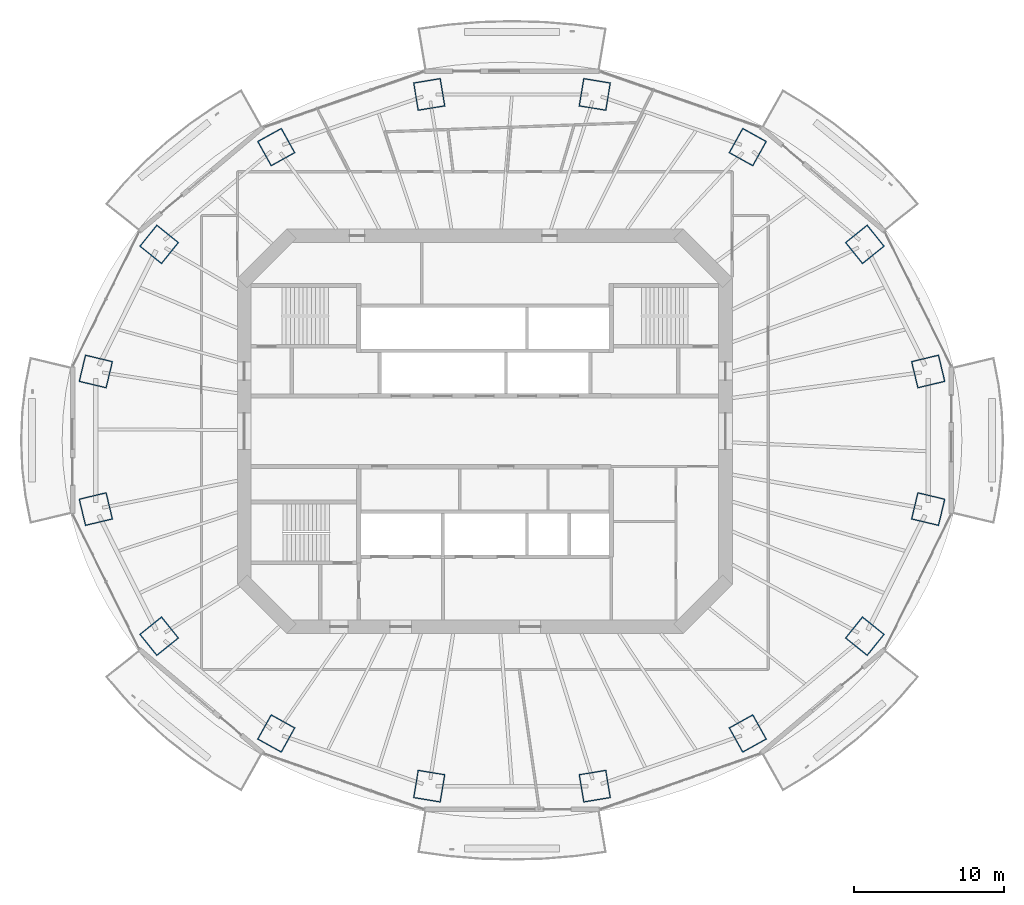
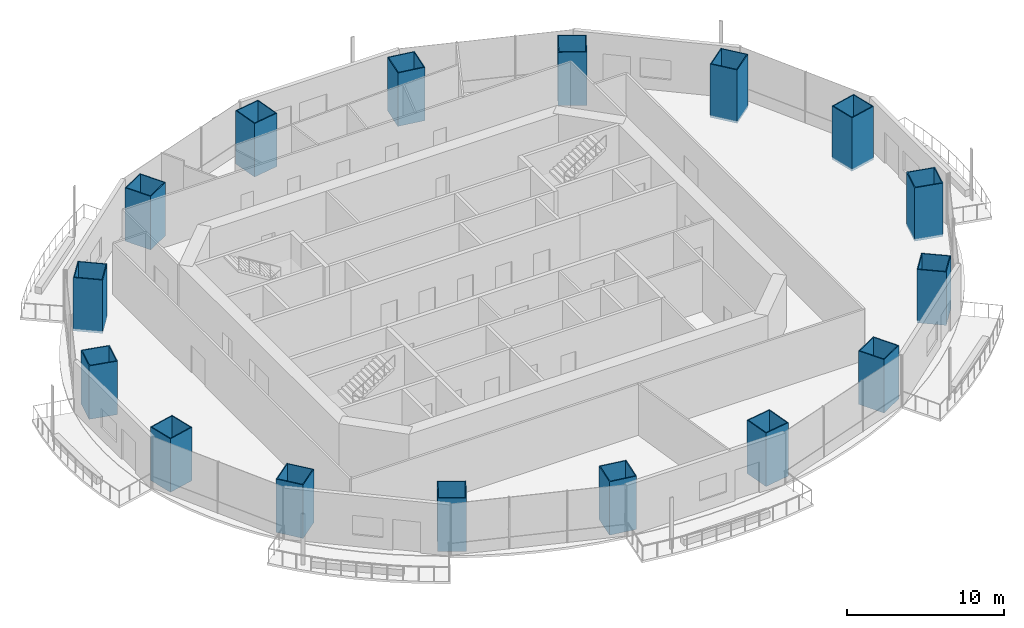
# One storey, part 1 of 19: 16 columns.
"""IFC4 building model written with IfcOpenShell, lengths in metres."""

import ifcopenshell
import ifcopenshell.guid

model = None  # the IFC model being written
_history = None  # IfcOwnerHistory: only IFC2X3 demands one
_inside = {}  # id of a spatial element -> (the spatial element, [elements in it])
_under = {}  # id of a project, library or spatial element -> (it, [spatial elements below it])
_declared = {}  # id of a project -> (the project, [libraries it declares])
_typed = {}  # id of a type object -> (the type object, [elements of that type])
_made_of = {}  # id of a material, layer set ... -> (it, [elements and type objects made of it])


def new_model(schema):
    """Start an empty IFC model of exactly this schema.

    Asked for "IFC4X3", IfcOpenShell would pick the latest addendum, in which some entities
    have other attributes; the version numbers below select the first issue.
    IFC2X3 requires an IfcOwnerHistory on every rooted entity: one is made here for all.
    """
    global model, _history
    if schema == "IFC4X3":
        model = ifcopenshell.file(schema_version=(4, 3, 0, 0))
    else:
        model = ifcopenshell.file(schema=schema)
    _inside.clear()
    _under.clear()
    _declared.clear()
    _typed.clear()
    _made_of.clear()
    _history = None
    if model.schema == "IFC2X3":
        org = make("IfcOrganization", Name="unknown")
        user = make(
            "IfcPersonAndOrganization",
            ThePerson=make("IfcPerson", FamilyName="unknown"),
            TheOrganization=org,
        )
        app = make(
            "IfcApplication",
            ApplicationDeveloper=org,
            Version="unknown",
            ApplicationFullName="unknown",
            ApplicationIdentifier="unknown",
        )
        _history = make(
            "IfcOwnerHistory",
            OwningUser=user,
            OwningApplication=app,
            ChangeAction="ADDED",
            CreationDate=0,
        )
    return model


def make(cls, **values):
    """One entity of the class cls with the attributes given. An attribute that is None is left unset."""
    return model.create_entity(
        cls, **{name: value for name, value in values.items() if value is not None}
    )


def rooted(cls, **values):
    """An entity with a GlobalId (a new one), such as an element, a storey or a relation."""
    return make(cls, GlobalId=ifcopenshell.guid.new(), OwnerHistory=_history, **values)


def si_unit(unit_type, name, prefix=None):
    """IfcSIUnit, for example si_unit("LENGTHUNIT", "METRE", prefix="MILLI")."""
    return make("IfcSIUnit", UnitType=unit_type, Prefix=prefix, Name=name)


def assignment(units):
    """IfcUnitAssignment: the units of a project."""
    return None if units is None else make("IfcUnitAssignment", Units=units)


def point(xyz):
    """IfcCartesianPoint."""
    return None if xyz is None else make("IfcCartesianPoint", Coordinates=xyz)


def direction(xyz):
    """IfcDirection."""
    return None if xyz is None else make("IfcDirection", DirectionRatios=xyz)


def frame(location, z_axis=None, x_axis=None):
    """IfcAxis2Placement3D, a coordinate frame: its origin and axes. An axis left out is left unset."""
    return make(
        "IfcAxis2Placement3D",
        Location=point(location),
        Axis=direction(z_axis),
        RefDirection=direction(x_axis),
    )


def frame_2d(location, x_axis=None):
    """IfcAxis2Placement2D, a coordinate frame in the plane: its origin and x axis."""
    return make(
        "IfcAxis2Placement2D", Location=point(location), RefDirection=direction(x_axis)
    )


def origin():
    """The frame at (0, 0, 0) with its axes left unset."""
    return frame((0.0, 0.0, 0.0))


def origin_2d():
    """The frame at (0, 0) in the plane with its x axis left unset."""
    return frame_2d((0.0, 0.0))


def place(relative_to, where):
    """IfcLocalPlacement: puts the frame where relative to a parent placement (None: the world)."""
    return make(
        "IfcLocalPlacement", PlacementRelTo=relative_to, RelativePlacement=where
    )


def context(
    kind, dimensions, precision=None, world=None, true_north=None, identifier=None
):
    """IfcGeometricRepresentationContext, for example the 3D "Model" context."""
    return make(
        "IfcGeometricRepresentationContext",
        ContextIdentifier=identifier,
        ContextType=kind,
        CoordinateSpaceDimension=dimensions,
        Precision=precision,
        WorldCoordinateSystem=world,
        TrueNorth=true_north,
    )


def subcontext(parent, identifier, kind, view, scale=None):
    """IfcGeometricRepresentationSubContext, for example "Body" below "Model"."""
    return make(
        "IfcGeometricRepresentationSubContext",
        ContextIdentifier=identifier,
        ContextType=kind,
        ParentContext=parent,
        TargetScale=scale,
        TargetView=view,
    )


def project(units=None, contexts=None):
    """IfcProject with its units and contexts."""
    return rooted(
        "IfcProject",
        Name="project",
        RepresentationContexts=contexts,
        UnitsInContext=assignment(units),
    )


def spatial(cls, under=None, at=None, **own):
    """A site, building, storey or space (cls), placed at a placement, below another one or the project."""
    s = rooted(cls, ObjectPlacement=at, **own)
    if under is not None:
        _under.setdefault(under.id(), (under, []))[1].append(s)
    return s


def profile(cls, at=None, kind="AREA", **sizes):
    """A parametric profile (cls). Its sizes go by their IFC names, for example OverallWidth=200.0."""
    return make(cls, ProfileType=kind, Position=at, **sizes)


def rectangle(**sizes):
    """IfcRectangleProfileDef."""
    return profile("IfcRectangleProfileDef", **sizes)


def hollow_rectangle(**sizes):
    """IfcRectangleHollowProfileDef."""
    return profile("IfcRectangleHollowProfileDef", **sizes)


def extrude(swept, where, along, depth):
    """IfcExtrudedAreaSolid: the profile swept, set in the frame where, extruded along a direction by depth."""
    return make(
        "IfcExtrudedAreaSolid",
        SweptArea=swept,
        Position=where,
        ExtrudedDirection=direction(along),
        Depth=depth,
    )


def shape(context_of_items, identifier, shape_type, items):
    """IfcShapeRepresentation: the items that make up one representation, for example the "Body"."""
    return make(
        "IfcShapeRepresentation",
        ContextOfItems=context_of_items,
        RepresentationIdentifier=identifier,
        RepresentationType=shape_type,
        Items=items,
    )


def material(Name=None, Category=None):
    """IfcMaterial."""
    return make("IfcMaterial", Name=Name, Category=Category)


def material_profile(
    of_material, cross_section, Name=None, Category=None, Priority=None
):
    """IfcMaterialProfile: a cross section and its material."""
    return make(
        "IfcMaterialProfile",
        Name=Name,
        Material=of_material,
        Profile=cross_section,
        Priority=Priority,
        Category=Category,
    )


def profile_set(profiles, Name=None, composite=None):
    """IfcMaterialProfileSet."""
    return make(
        "IfcMaterialProfileSet",
        Name=Name,
        MaterialProfiles=profiles,
        CompositeProfile=composite,
    )


def made_of(thing, what):
    """Note that an element or type object is made of a material, layer set ...; save() writes the relation."""
    if what is not None:
        _made_of.setdefault(what.id(), (what, []))[1].append(thing)
    return thing


def type_object(cls, material=None, **own):
    """A type object (cls), such as IfcWallType, which elements share."""
    return made_of(rooted(cls, **own), material)


def element(
    cls,
    number,
    at=None,
    inside=None,
    cuts=None,
    type_object=None,
    material=None,
    context=None,
    identifier="Body",
    shape_type=None,
    held_by="IfcProductDefinitionShape",
    body=None,
    shapes=None,
    **own,
):
    """One element of the class cls, such as IfcWall. Its Tag is "e" and its number.

    at: its placement. inside: the storey or other place that contains it. cuts: it is an
    opening in that element (IfcRelVoidsElement). A single representation is given by context,
    identifier, shape_type and body (its items); several are given by shapes. held_by: the class
    of the entity that holds the representations. save() writes the other relations.
    """
    e = rooted(cls, Tag="e%d" % number, ObjectPlacement=at, **own)
    if body is not None:
        shapes = [shape(context, identifier, shape_type, body)]
    if shapes is not None:
        e.Representation = make(held_by, Representations=shapes)
    if inside is not None:
        _inside.setdefault(inside.id(), (inside, []))[1].append(e)
    if cuts is not None:
        rooted(
            "IfcRelVoidsElement", RelatingBuildingElement=cuts, RelatedOpeningElement=e
        )
    if type_object is not None:
        _typed.setdefault(type_object.id(), (type_object, []))[1].append(e)
    return made_of(e, material)


def aggregate(whole, parts):
    """IfcRelAggregates: a whole, such as a stair, and the parts it consists of."""
    return rooted("IfcRelAggregates", RelatingObject=whole, RelatedObjects=parts)


def save(model, path):
    """Write the relations noted so far, then the file.

    IfcRelAggregates (storeys below a building ...), IfcRelContainedInSpatialStructure (elements
    in a storey), IfcRelDefinesByType, IfcRelAssociatesMaterial and IfcRelDeclares: one each for
    every whole, place, type object, material and project.
    """
    for whole, parts in _under.values():
        aggregate(whole, parts)
    for where, things in _inside.values():
        rooted(
            "IfcRelContainedInSpatialStructure",
            RelatedElements=things,
            RelatingStructure=where,
        )
    for kind, things in _typed.values():
        rooted("IfcRelDefinesByType", RelatedObjects=things, RelatingType=kind)
    for what, things in _made_of.values():
        rooted("IfcRelAssociatesMaterial", RelatedObjects=things, RelatingMaterial=what)
    for by, libraries in _declared.values():
        rooted("IfcRelDeclares", RelatingContext=by, RelatedDefinitions=libraries)
    model.write(path)


model = new_model("IFC4")

# Units and contexts
model_context = context("Model", 3, precision=1e-05, world=origin(), true_north=direction((0.0, 1.0)))
body_context = subcontext(model_context, "Body", "Model", "MODEL_VIEW")
ifc_project = project(units=[si_unit("LENGTHUNIT", "METRE"), si_unit("AREAUNIT", "SQUARE_METRE"), si_unit("VOLUMEUNIT", "CUBIC_METRE"), si_unit("PLANEANGLEUNIT", "RADIAN"), si_unit("MASSUNIT", "GRAM", prefix="KILO")], contexts=[model_context])

# Site, building, storey
site_placement = place(None, origin())
site = spatial("IfcSite", under=ifc_project, at=site_placement, CompositionType="ELEMENT")
building_placement = place(site_placement, origin())
building = spatial("IfcBuilding", under=site, at=building_placement, Name="Marenthal Gate Tower", CompositionType="ELEMENT")
storey_placement = place(building_placement, frame((0.0, 0.0, 248.199951171875)))
storey = spatial("IfcBuildingStorey", under=building, at=storey_placement, Name="L55", CompositionType="ELEMENT", Elevation=248.199951171875)

# Columns
ifc_material_1 = material(Name="Steel S460", Category="steel")
ifc_material_profile_1 = material_profile(ifc_material_1, hollow_rectangle(XDim=1.85009765625, YDim=1.89990234375, WallThickness=0.06494140625, at=origin_2d()), Name="CFT BOX 1900X1850X65")
ifc_material_2 = material(Name="Concrete 70 MPa", Category="concrete")
ifc_material_profile_2 = material_profile(ifc_material_2, rectangle(XDim=1.719970703125, YDim=1.77001953125, at=origin_2d()), Name="CFT BOX 1900X1850X65 INFILL")
ifc_profile_set = profile_set([ifc_material_profile_1, ifc_material_profile_2], Name="Steel S460 shell, Concrete 70 MPa infill")
column_type = type_object("IfcColumnType", Name="CFT BOX 1900X1850X65", PredefinedType="COLUMN", material=ifc_profile_set)
for number, where, z_axis, x_axis, name in (
    (1, (29.480712890625, 3.9755859375, -0.179931640625), (0.0, 0.0, 1.0), (0.232783438617, -0.972528596343, 0.0), "COL-L55-01"),
    (2, (25.2666015625, 12.430419921875, -0.179931640625), (0.0, 0.0, 1.0), (0.626614692914, -0.779329215816, 0.0), "COL-L55-02"),
    (3, (17.47998046875, 18.9013671875, -0.179931640625), (0.0, 0.0, 1.0), (0.874262393624, -0.485453671419, 0.0), "COL-L55-03"),
    (4, (7.305908203125, 22.4033203125, -0.179931640625), (0.0, 0.0, 1.0), (0.986611470936, -0.163088336238, 0.0), "COL-L55-04"),
    (5, (-3.7060546875, 22.4033203125, -0.179931640625), (0.0, 0.0, 1.0), (0.986611470936, 0.163088336238, 0.0), "COL-L55-05"),
    (6, (-13.8798828125, 18.9013671875, -0.179931640625), (0.0, 0.0, 1.0), (0.874262393624, 0.485453671419, 0.0), "COL-L55-06"),
    (7, (-21.66650390625, 12.430419921875, -0.179931640625), (0.0, 0.0, 1.0), (0.626614692914, 0.779329215816, 0.0), "COL-L55-07"),
    (8, (-25.880615234375, 3.9755859375, -0.179931640625), (0.0, 0.0, 1.0), (0.232783438617, 0.972528596343, 0.0), "COL-L55-08"),
    (9, (-25.880615234375, -5.175537109375, -0.179931640625), (0.0, 0.0, 1.0), (-0.232783438617, 0.972528596343, 0.0), "COL-L55-09"),
    (10, (-21.66650390625, -13.63037109375, -0.179931640625), (0.0, 0.0, 1.0), (-0.626614692914, 0.779329215816, 0.0), "COL-L55-10"),
    (11, (-13.8798828125, -20.101318359375, -0.179931640625), (0.0, 0.0, 1.0), (-0.874262393624, 0.485453671419, 0.0), "COL-L55-11"),
    (12, (-3.7060546875, -23.603271484375, -0.179931640625), (0.0, 0.0, 1.0), (-0.986611470936, 0.163088336238, 0.0), "COL-L55-12"),
    (13, (7.305908203125, -23.603271484375, -0.179931640625), (0.0, 0.0, 1.0), (-0.986611470936, -0.163088336238, 0.0), "COL-L55-13"),
    (14, (17.47998046875, -20.101318359375, -0.179931640625), (0.0, 0.0, 1.0), (-0.874262393624, -0.485453671419, 0.0), "COL-L55-14"),
    (15, (25.2666015625, -13.63037109375, -0.179931640625), (0.0, 0.0, 1.0), (-0.626614692914, -0.779329215816, 0.0), "COL-L55-15"),
    (16, (29.480712890625, -5.175537109375, -0.179931640625), (0.0, 0.0, 1.0), (-0.232783438617, -0.972528596343, 0.0), "COL-L55-16"),
):
    element("IfcColumn", number, at=place(storey_placement, frame(where, z_axis=z_axis, x_axis=x_axis)), inside=storey, type_object=column_type, Name=name, PredefinedType="COLUMN", context=body_context, shape_type="SweptSolid", body=[
        extrude(hollow_rectangle(XDim=1.85009765625, YDim=1.89990234375, WallThickness=0.06494140625, at=origin_2d()), origin(), (0.0, 0.0, 1.0), 4.14990234375),
    ])

save(model, "model.ifc")
